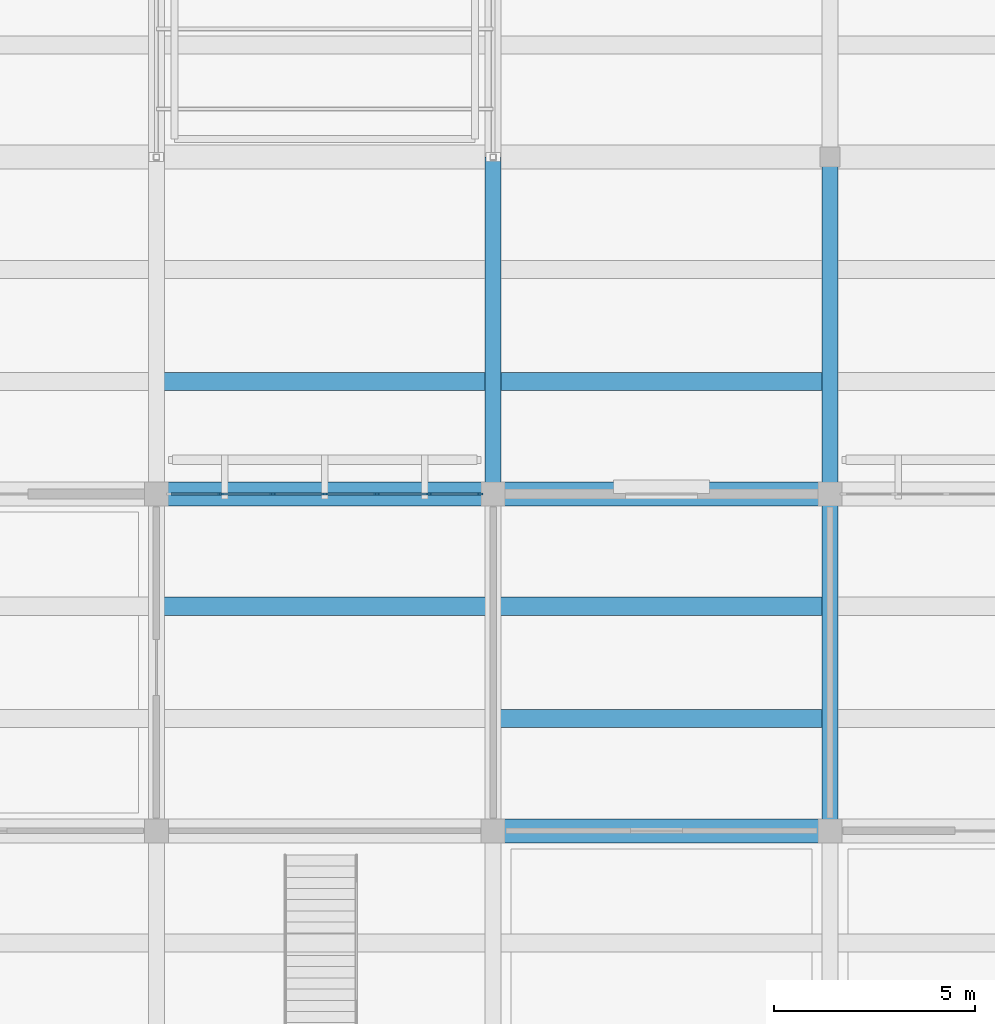
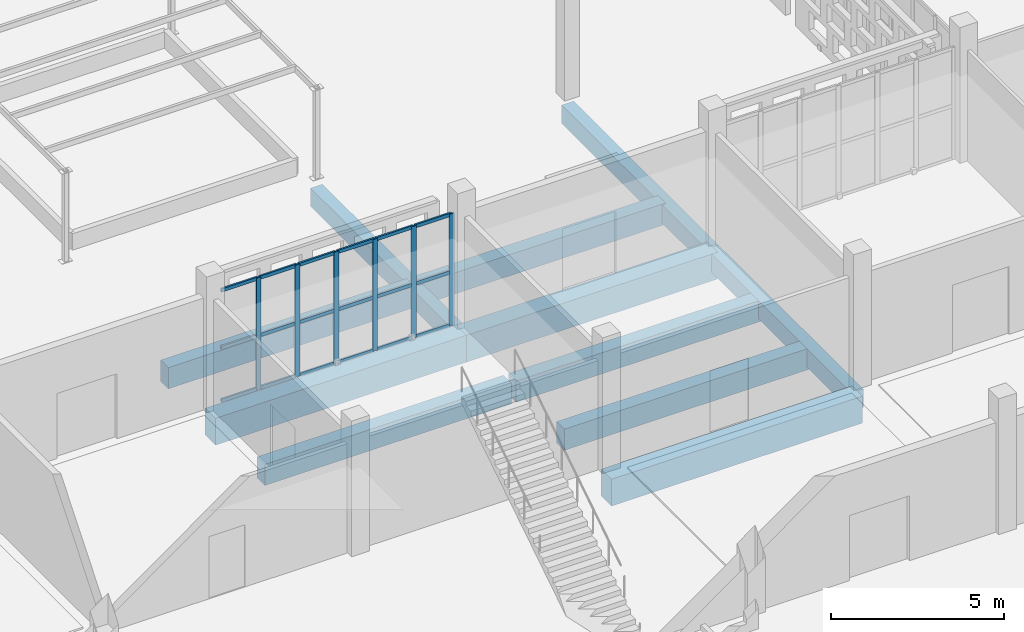
# One storey, part 16 of 129: 24 members, 11 beams, 1 element without a shape of its own.
"""IFC4 building model written with IfcOpenShell, lengths in metres."""

from ifc_helpers import new_model, si_unit, direction, frame, origin, origin_2d, place, context, subcontext, project, spatial, rectangle, extrude, material, layer, layer_set, material_profile, profile_set, type_object, element, aggregate, save


model = new_model("IFC4")

# Units and contexts
model_context = context("Model", 3, precision=1e-05, world=origin(), true_north=direction((0.0, 1.0)))
body_context = subcontext(model_context, "Body", "Model", "MODEL_VIEW")
ifc_project = project(units=[si_unit("LENGTHUNIT", "METRE"), si_unit("AREAUNIT", "SQUARE_METRE"), si_unit("VOLUMEUNIT", "CUBIC_METRE"), si_unit("PLANEANGLEUNIT", "RADIAN"), si_unit("MASSUNIT", "GRAM", prefix="KILO")], contexts=[model_context])

# Site, building, storey
site_placement = place(None, origin())
site = spatial("IfcSite", under=ifc_project, at=site_placement, CompositionType="ELEMENT")
building_placement = place(site_placement, origin())
building = spatial("IfcBuilding", under=site, at=building_placement, Name="Varnapada Polytechnic", CompositionType="ELEMENT")
storey_placement = place(building_placement, origin())
storey = spatial("IfcBuildingStorey", under=building, at=storey_placement, Name="L00", CompositionType="ELEMENT", Elevation=0.0)

# Beams
ifc_material_1 = material(Name="Concrete C40/50", Category="concrete")
ifc_material_profile_1 = material_profile(ifc_material_1, rectangle(XDim=0.449951171875, YDim=0.75, at=origin_2d()), Name="RC 450x750")
ifc_profile_set_1 = profile_set([ifc_material_profile_1], Name="Concrete C40/50")
beam_type_1 = type_object("IfcBeamType", Name="Basement/podium secondary beam BB-01 (RC 450x750)", PredefinedType="BEAM", material=ifc_profile_set_1)
for number, where, z_axis, x_axis, name in (
    (1, (109.280029296875, 39.199951171875, -0.675048828125), (1.0, 0.0, 0.0), (0.0, 1.0, 0.0), "L00 floor joist 14/5.2"),
    (2, (109.280029296875, 44.800048828125, -0.655029296875), (1.0, 0.0, 0.0), (0.0, 1.0, 0.0), "L00 floor joist 14/6.1"),
    (3, (117.679931640625, 36.39990234375, -0.675048828125), (1.0, 0.0, 0.0), (0.0, 1.0, 0.0), "L00 floor joist 15/5.1"),
    (4, (117.679931640625, 39.199951171875, -0.675048828125), (1.0, 0.0, 0.0), (0.0, 1.0, 0.0), "L00 floor joist 15/5.2"),
    (5, (117.679931640625, 44.800048828125, -0.655029296875), (1.0, 0.0, 0.0), (0.0, 1.0, 0.0), "L00 floor joist 15/6.1"),
):
    element("IfcBeam", number, at=place(storey_placement, frame(where, z_axis=z_axis, x_axis=x_axis)), inside=storey, type_object=beam_type_1, Name=name, PredefinedType="BEAM", context=body_context, shape_type="SweptSolid", body=[
        extrude(rectangle(XDim=0.449951171875, YDim=0.75, at=origin_2d()), origin(), (0.0, 0.0, 1.0), 8.239990234375),
    ])

# Curtain wall, members
ifc_material_2 = material(Name="Double low-E laminated glass", Category="glass")
ifc_layer = layer(ifc_material_2, 0.159912109375)
ifc_layer_set = layer_set([ifc_layer], Name="Double low-E laminated glass")
curtain_wall_type = type_object("IfcCurtainWallType", Name="Curtain Wall CW-01", PredefinedType="NOTDEFINED", material=ifc_layer_set)
curtain_wall_placement = place(storey_placement, origin())
curtain_wall = element("IfcCurtainWall", 6, at=curtain_wall_placement, inside=storey, type_object=curtain_wall_type, Name="L00 unitised curtain wall CW-01 (12)", PredefinedType="NOTDEFINED")
ifc_material_3 = material(Name="Anodised aluminium", Category="aluminium")
ifc_material_profile_2 = material_profile(ifc_material_3, rectangle(XDim=0.06005859375, YDim=0.159912109375, at=origin_2d()), Name="ALU M60x160")
ifc_profile_set_2 = profile_set([ifc_material_profile_2], Name="Anodised aluminium")
member_type_1 = type_object("IfcMemberType", Name="Mullion M-01", PredefinedType="MULLION", material=ifc_profile_set_2)
member_1_placement = place(storey_placement, frame((110.800048828125, 42.0, 0.0), z_axis=(0.0, 0.0, 1.0), x_axis=(0.0, 1.0, 0.0)))
member_1 = element("IfcMember", 7, at=member_1_placement, type_object=member_type_1, Name="CW-01 mullion 2", PredefinedType="MULLION", context=body_context, shape_type="SweptSolid", body=[
    extrude(rectangle(XDim=0.06005859375, YDim=0.159912109375, at=origin_2d()), origin(), (0.0, 0.0, 1.0), 3.9599609375),
])
member_2_placement = place(storey_placement, frame((112.10009765625, 42.0, 0.0), z_axis=(0.0, 0.0, 1.0), x_axis=(0.0, 1.0, 0.0)))
member_2 = element("IfcMember", 8, at=member_2_placement, type_object=member_type_1, Name="CW-01 mullion 3", PredefinedType="MULLION", context=body_context, shape_type="SweptSolid", body=[
    extrude(rectangle(XDim=0.06005859375, YDim=0.159912109375, at=origin_2d()), origin(), (0.0, 0.0, 1.0), 3.9599609375),
])
member_3_placement = place(storey_placement, frame((113.39990234375, 42.0, 0.0), z_axis=(0.0, 0.0, 1.0), x_axis=(0.0, 1.0, 0.0)))
member_3 = element("IfcMember", 9, at=member_3_placement, type_object=member_type_1, Name="CW-01 mullion 4", PredefinedType="MULLION", context=body_context, shape_type="SweptSolid", body=[
    extrude(rectangle(XDim=0.06005859375, YDim=0.159912109375, at=origin_2d()), origin(), (0.0, 0.0, 1.0), 3.9599609375),
])
member_4_placement = place(storey_placement, frame((114.699951171875, 42.0, 0.0), z_axis=(0.0, 0.0, 1.0), x_axis=(0.0, 1.0, 0.0)))
member_4 = element("IfcMember", 10, at=member_4_placement, type_object=member_type_1, Name="CW-01 mullion 5", PredefinedType="MULLION", context=body_context, shape_type="SweptSolid", body=[
    extrude(rectangle(XDim=0.06005859375, YDim=0.159912109375, at=origin_2d()), origin(), (0.0, 0.0, 1.0), 3.9599609375),
])
member_5_placement = place(storey_placement, frame((116.0, 42.0, 0.0), z_axis=(0.0, 0.0, 1.0), x_axis=(0.0, 1.0, 0.0)))
member_5 = element("IfcMember", 11, at=member_5_placement, type_object=member_type_1, Name="CW-01 mullion 6", PredefinedType="MULLION", context=body_context, shape_type="SweptSolid", body=[
    extrude(rectangle(XDim=0.06005859375, YDim=0.159912109375, at=origin_2d()), origin(), (0.0, 0.0, 1.0), 3.9599609375),
])
member_6_placement = place(storey_placement, frame((117.27001953125, 42.0, 0.0), z_axis=(0.0, 0.0, 1.0), x_axis=(0.0, 1.0, 0.0)))
member_6 = element("IfcMember", 12, at=member_6_placement, type_object=member_type_1, Name="CW-01 mullion 7", PredefinedType="MULLION", context=body_context, shape_type="SweptSolid", body=[
    extrude(rectangle(XDim=0.06005859375, YDim=0.159912109375, at=origin_2d()), origin(), (0.0, 0.0, 1.0), 3.9599609375),
])

# Beams
ifc_material_profile_3 = material_profile(ifc_material_1, rectangle(XDim=0.39990234375, YDim=0.64990234375, at=origin_2d()), Name="RC 400x650")
ifc_profile_set_3 = profile_set([ifc_material_profile_3], Name="Concrete C40/50")
beam_type_2 = type_object("IfcBeamType", Name="Podium framing beam BB-02 (RC 400x650)", PredefinedType="BEAM", material=ifc_profile_set_3)
for number, where, z_axis, x_axis, name in (
    (13, (117.60009765625, 42.0, -0.625), (0.0, 1.0, 0.0), (-1.0, 0.0, 0.0), "L00 beam Y 6-7 at X15"),
    (14, (126.0, 33.60009765625, -0.625), (0.0, 1.0, 0.0), (-1.0, 0.0, 0.0), "L00 beam Y 5-6 at X16"),
    (15, (126.0, 42.0, -0.625), (0.0, 1.0, 0.0), (-1.0, 0.0, 0.0), "L00 beam Y 6-7 at X16"),
):
    element("IfcBeam", number, at=place(storey_placement, frame(where, z_axis=z_axis, x_axis=x_axis)), inside=storey, type_object=beam_type_2, Name=name, PredefinedType="BEAM", context=body_context, shape_type="SweptSolid", body=[
        extrude(rectangle(XDim=0.39990234375, YDim=0.64990234375, at=origin_2d()), origin(), (0.0, 0.0, 1.0), 8.39990234375),
    ])

# Member
ifc_material_profile_4 = material_profile(ifc_material_3, rectangle(XDim=0.06005859375, YDim=0.1201171875, at=origin_2d()), Name="ALU T60x120")
ifc_profile_set_4 = profile_set([ifc_material_profile_4], Name="Anodised aluminium")
member_type_2 = type_object("IfcMemberType", Name="Transom T-01", PredefinedType="USERDEFINED", material=ifc_profile_set_4)
member_7_placement = place(storey_placement, frame((109.56005859375, 42.0, 0.030029296875), z_axis=(1.0, 0.0, 0.0), x_axis=(0.0, 1.0, 0.0)))
member_7 = element("IfcMember", 16, at=member_7_placement, type_object=member_type_2, Name="CW-01 transom 1.1", ObjectType="TRANSOM", PredefinedType="USERDEFINED", context=body_context, shape_type="SweptSolid", body=[
    extrude(rectangle(XDim=0.06005859375, YDim=0.1201171875, at=origin_2d()), origin(), (0.0, 0.0, 1.0), 1.2099609375),
])

member_8_placement = place(storey_placement, frame((109.56005859375, 42.0, 1.90087890625), z_axis=(1.0, 0.0, 0.0), x_axis=(0.0, 1.0, 0.0)))
member_8 = element("IfcMember", 17, at=member_8_placement, type_object=member_type_2, Name="CW-01 transom 1.2", ObjectType="TRANSOM", PredefinedType="USERDEFINED", context=body_context, shape_type="SweptSolid", body=[
    extrude(rectangle(XDim=0.06005859375, YDim=0.1201171875, at=origin_2d()), origin(), (0.0, 0.0, 1.0), 1.2099609375),
])

member_9_placement = place(storey_placement, frame((109.56005859375, 42.0, 3.929931640625), z_axis=(1.0, 0.0, 0.0), x_axis=(0.0, 1.0, 0.0)))
member_9 = element("IfcMember", 18, at=member_9_placement, type_object=member_type_2, Name="CW-01 transom 1.3", ObjectType="TRANSOM", PredefinedType="USERDEFINED", context=body_context, shape_type="SweptSolid", body=[
    extrude(rectangle(XDim=0.06005859375, YDim=0.1201171875, at=origin_2d()), origin(), (0.0, 0.0, 1.0), 1.2099609375),
])

member_10_placement = place(storey_placement, frame((110.830078125, 42.0, 0.030029296875), z_axis=(1.0, 0.0, 0.0), x_axis=(0.0, 1.0, 0.0)))
member_10 = element("IfcMember", 19, at=member_10_placement, type_object=member_type_2, Name="CW-01 transom 2.1", ObjectType="TRANSOM", PredefinedType="USERDEFINED", context=body_context, shape_type="SweptSolid", body=[
    extrude(rectangle(XDim=0.06005859375, YDim=0.1201171875, at=origin_2d()), origin(), (0.0, 0.0, 1.0), 1.239990234375),
])

member_11_placement = place(storey_placement, frame((110.830078125, 42.0, 1.90087890625), z_axis=(1.0, 0.0, 0.0), x_axis=(0.0, 1.0, 0.0)))
member_11 = element("IfcMember", 20, at=member_11_placement, type_object=member_type_2, Name="CW-01 transom 2.2", ObjectType="TRANSOM", PredefinedType="USERDEFINED", context=body_context, shape_type="SweptSolid", body=[
    extrude(rectangle(XDim=0.06005859375, YDim=0.1201171875, at=origin_2d()), origin(), (0.0, 0.0, 1.0), 1.239990234375),
])

member_12_placement = place(storey_placement, frame((110.830078125, 42.0, 3.929931640625), z_axis=(1.0, 0.0, 0.0), x_axis=(0.0, 1.0, 0.0)))
member_12 = element("IfcMember", 21, at=member_12_placement, type_object=member_type_2, Name="CW-01 transom 2.3", ObjectType="TRANSOM", PredefinedType="USERDEFINED", context=body_context, shape_type="SweptSolid", body=[
    extrude(rectangle(XDim=0.06005859375, YDim=0.1201171875, at=origin_2d()), origin(), (0.0, 0.0, 1.0), 1.239990234375),
])

member_13_placement = place(storey_placement, frame((112.1298828125, 42.0, 0.030029296875), z_axis=(1.0, 0.0, 0.0), x_axis=(0.0, 1.0, 0.0)))
member_13 = element("IfcMember", 22, at=member_13_placement, type_object=member_type_2, Name="CW-01 transom 3.1", ObjectType="TRANSOM", PredefinedType="USERDEFINED", context=body_context, shape_type="SweptSolid", body=[
    extrude(rectangle(XDim=0.06005859375, YDim=0.1201171875, at=origin_2d()), origin(), (0.0, 0.0, 1.0), 1.240234375),
])

member_14_placement = place(storey_placement, frame((112.1298828125, 42.0, 1.90087890625), z_axis=(1.0, 0.0, 0.0), x_axis=(0.0, 1.0, 0.0)))
member_14 = element("IfcMember", 23, at=member_14_placement, type_object=member_type_2, Name="CW-01 transom 3.2", ObjectType="TRANSOM", PredefinedType="USERDEFINED", context=body_context, shape_type="SweptSolid", body=[
    extrude(rectangle(XDim=0.06005859375, YDim=0.1201171875, at=origin_2d()), origin(), (0.0, 0.0, 1.0), 1.240234375),
])

member_15_placement = place(storey_placement, frame((112.1298828125, 42.0, 3.929931640625), z_axis=(1.0, 0.0, 0.0), x_axis=(0.0, 1.0, 0.0)))
member_15 = element("IfcMember", 24, at=member_15_placement, type_object=member_type_2, Name="CW-01 transom 3.3", ObjectType="TRANSOM", PredefinedType="USERDEFINED", context=body_context, shape_type="SweptSolid", body=[
    extrude(rectangle(XDim=0.06005859375, YDim=0.1201171875, at=origin_2d()), origin(), (0.0, 0.0, 1.0), 1.240234375),
])

member_16_placement = place(storey_placement, frame((113.429931640625, 42.0, 0.030029296875), z_axis=(1.0, 0.0, 0.0), x_axis=(0.0, 1.0, 0.0)))
member_16 = element("IfcMember", 25, at=member_16_placement, type_object=member_type_2, Name="CW-01 transom 4.1", ObjectType="TRANSOM", PredefinedType="USERDEFINED", context=body_context, shape_type="SweptSolid", body=[
    extrude(rectangle(XDim=0.06005859375, YDim=0.1201171875, at=origin_2d()), origin(), (0.0, 0.0, 1.0), 1.239990234375),
])

member_17_placement = place(storey_placement, frame((113.429931640625, 42.0, 1.90087890625), z_axis=(1.0, 0.0, 0.0), x_axis=(0.0, 1.0, 0.0)))
member_17 = element("IfcMember", 26, at=member_17_placement, type_object=member_type_2, Name="CW-01 transom 4.2", ObjectType="TRANSOM", PredefinedType="USERDEFINED", context=body_context, shape_type="SweptSolid", body=[
    extrude(rectangle(XDim=0.06005859375, YDim=0.1201171875, at=origin_2d()), origin(), (0.0, 0.0, 1.0), 1.239990234375),
])

member_18_placement = place(storey_placement, frame((113.429931640625, 42.0, 3.929931640625), z_axis=(1.0, 0.0, 0.0), x_axis=(0.0, 1.0, 0.0)))
member_18 = element("IfcMember", 27, at=member_18_placement, type_object=member_type_2, Name="CW-01 transom 4.3", ObjectType="TRANSOM", PredefinedType="USERDEFINED", context=body_context, shape_type="SweptSolid", body=[
    extrude(rectangle(XDim=0.06005859375, YDim=0.1201171875, at=origin_2d()), origin(), (0.0, 0.0, 1.0), 1.239990234375),
])

member_19_placement = place(storey_placement, frame((114.72998046875, 42.0, 0.030029296875), z_axis=(1.0, 0.0, 0.0), x_axis=(0.0, 1.0, 0.0)))
member_19 = element("IfcMember", 28, at=member_19_placement, type_object=member_type_2, Name="CW-01 transom 5.1", ObjectType="TRANSOM", PredefinedType="USERDEFINED", context=body_context, shape_type="SweptSolid", body=[
    extrude(rectangle(XDim=0.06005859375, YDim=0.1201171875, at=origin_2d()), origin(), (0.0, 0.0, 1.0), 1.239990234375),
])

member_20_placement = place(storey_placement, frame((114.72998046875, 42.0, 1.90087890625), z_axis=(1.0, 0.0, 0.0), x_axis=(0.0, 1.0, 0.0)))
member_20 = element("IfcMember", 29, at=member_20_placement, type_object=member_type_2, Name="CW-01 transom 5.2", ObjectType="TRANSOM", PredefinedType="USERDEFINED", context=body_context, shape_type="SweptSolid", body=[
    extrude(rectangle(XDim=0.06005859375, YDim=0.1201171875, at=origin_2d()), origin(), (0.0, 0.0, 1.0), 1.239990234375),
])

member_21_placement = place(storey_placement, frame((114.72998046875, 42.0, 3.929931640625), z_axis=(1.0, 0.0, 0.0), x_axis=(0.0, 1.0, 0.0)))
member_21 = element("IfcMember", 30, at=member_21_placement, type_object=member_type_2, Name="CW-01 transom 5.3", ObjectType="TRANSOM", PredefinedType="USERDEFINED", context=body_context, shape_type="SweptSolid", body=[
    extrude(rectangle(XDim=0.06005859375, YDim=0.1201171875, at=origin_2d()), origin(), (0.0, 0.0, 1.0), 1.239990234375),
])

member_22_placement = place(storey_placement, frame((116.030029296875, 42.0, 0.030029296875), z_axis=(1.0, 0.0, 0.0), x_axis=(0.0, 1.0, 0.0)))
member_22 = element("IfcMember", 31, at=member_22_placement, type_object=member_type_2, Name="CW-01 transom 6.1", ObjectType="TRANSOM", PredefinedType="USERDEFINED", context=body_context, shape_type="SweptSolid", body=[
    extrude(rectangle(XDim=0.06005859375, YDim=0.1201171875, at=origin_2d()), origin(), (0.0, 0.0, 1.0), 1.2099609375),
])

member_23_placement = place(storey_placement, frame((116.030029296875, 42.0, 1.90087890625), z_axis=(1.0, 0.0, 0.0), x_axis=(0.0, 1.0, 0.0)))
member_23 = element("IfcMember", 32, at=member_23_placement, type_object=member_type_2, Name="CW-01 transom 6.2", ObjectType="TRANSOM", PredefinedType="USERDEFINED", context=body_context, shape_type="SweptSolid", body=[
    extrude(rectangle(XDim=0.06005859375, YDim=0.1201171875, at=origin_2d()), origin(), (0.0, 0.0, 1.0), 1.2099609375),
])

member_24_placement = place(storey_placement, frame((116.030029296875, 42.0, 3.929931640625), z_axis=(1.0, 0.0, 0.0), x_axis=(0.0, 1.0, 0.0)))
member_24 = element("IfcMember", 33, at=member_24_placement, type_object=member_type_2, Name="CW-01 transom 6.3", ObjectType="TRANSOM", PredefinedType="USERDEFINED", context=body_context, shape_type="SweptSolid", body=[
    extrude(rectangle(XDim=0.06005859375, YDim=0.1201171875, at=origin_2d()), origin(), (0.0, 0.0, 1.0), 1.2099609375),
])

aggregate(curtain_wall, [member_1, member_2, member_3, member_4, member_5, member_6, member_7, member_8, member_9, member_10, member_11, member_12, member_13, member_14, member_15, member_16, member_17, member_18, member_19, member_20, member_21, member_22, member_23, member_24])

# Beams
ifc_material_profile_5 = material_profile(ifc_material_1, rectangle(XDim=0.60009765625, YDim=0.949951171875, at=origin_2d()), Name="RC 600x950")
ifc_profile_set_5 = profile_set([ifc_material_profile_5], Name="Concrete C40/50")
beam_type_3 = type_object("IfcBeamType", Name="Workshop podium heavy girder BG-03 (RC 600x950)", PredefinedType="T_BEAM", material=ifc_profile_set_5)
beam_placement = place(storey_placement, frame((109.199951171875, 42.0, -0.77490234375), z_axis=(1.0, 0.0, 0.0), x_axis=(0.0, 1.0, 0.0)))
element("IfcBeam", 34, at=beam_placement, inside=storey, type_object=beam_type_3, Name="L00 beam X 14-15 at Y6", PredefinedType="T_BEAM", context=body_context, shape_type="SweptSolid", body=[
    extrude(rectangle(XDim=0.60009765625, YDim=0.949951171875, at=origin_2d()), origin(), (0.0, 0.0, 1.0), 8.400146484375),
])
for number, where, z_axis, x_axis, name in (
    (35, (117.60009765625, 33.60009765625, -0.77490234375), (1.0, 0.0, 0.0), (0.0, 1.0, 0.0), "L00 beam X 15-16 at Y5"),
    (36, (117.60009765625, 42.0, -0.77490234375), (1.0, 0.0, 0.0), (0.0, 1.0, 0.0), "L00 beam X 15-16 at Y6"),
):
    element("IfcBeam", number, at=place(storey_placement, frame(where, z_axis=z_axis, x_axis=x_axis)), inside=storey, type_object=beam_type_3, Name=name, PredefinedType="T_BEAM", context=body_context, shape_type="SweptSolid", body=[
        extrude(rectangle(XDim=0.60009765625, YDim=0.949951171875, at=origin_2d()), origin(), (0.0, 0.0, 1.0), 8.39990234375),
    ])

save(model, "model.ifc")
